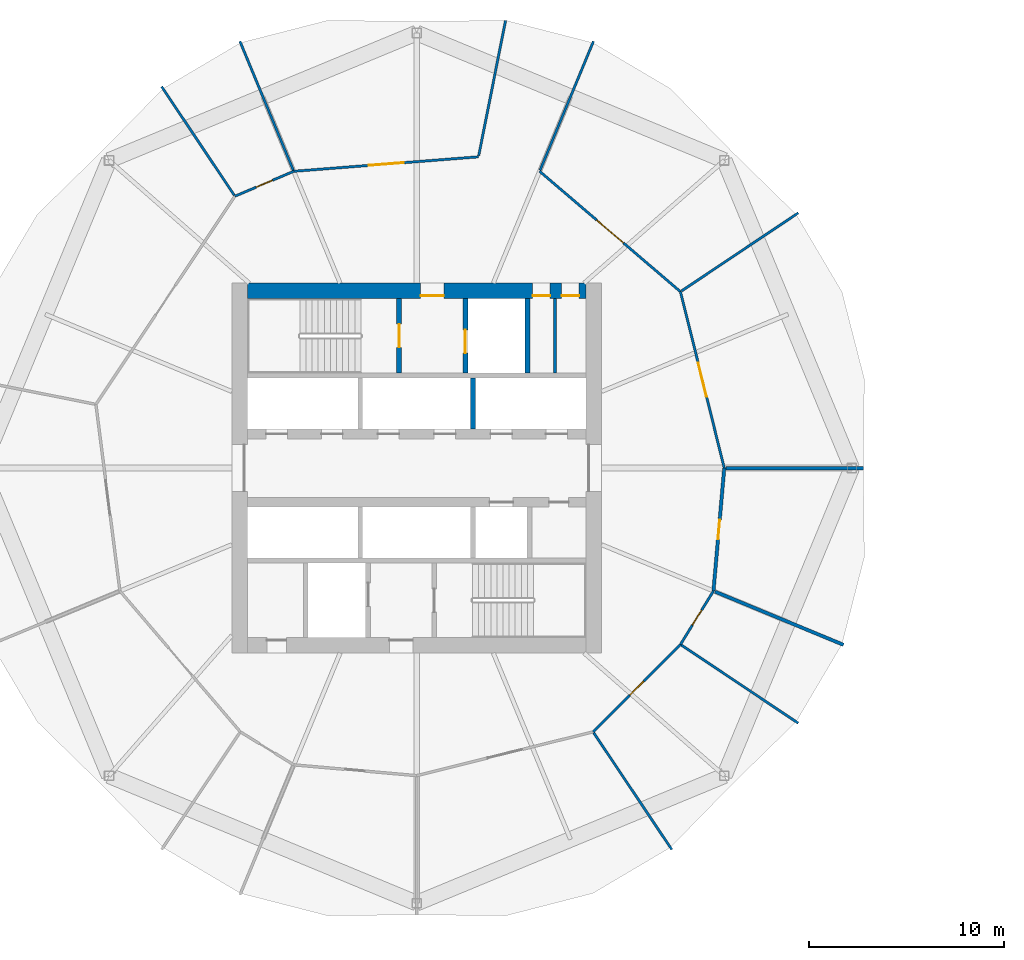
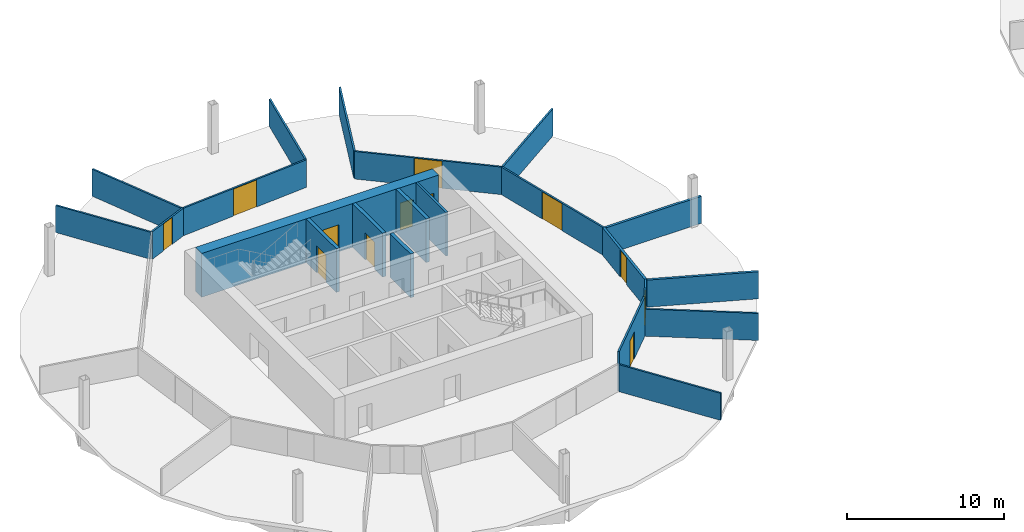
# One storey, part 5 of 10: 22 walls, 12 doors, 12 openings.
"""IFC4 building model written with IfcOpenShell, lengths in metres."""

from ifc_helpers import new_model, si_unit, direction, frame, frame_2d, origin, place, context, subcontext, project, spatial, rectangle, extrude, material, layer, layer_set, type_object, element, fill, save


model = new_model("IFC4")

# Units and contexts
model_context = context("Model", 3, precision=1e-05, world=origin(), true_north=direction((0.0, 1.0)))
body_context = subcontext(model_context, "Body", "Model", "MODEL_VIEW")
ifc_project = project(units=[si_unit("LENGTHUNIT", "METRE"), si_unit("AREAUNIT", "SQUARE_METRE"), si_unit("VOLUMEUNIT", "CUBIC_METRE"), si_unit("PLANEANGLEUNIT", "RADIAN"), si_unit("MASSUNIT", "GRAM", prefix="KILO")], contexts=[model_context])

# Site, building, storey
site_placement = place(None, origin())
site = spatial("IfcSite", under=ifc_project, at=site_placement, CompositionType="ELEMENT")
building_placement = place(site_placement, origin())
building = spatial("IfcBuilding", under=site, at=building_placement, Name="Ogive Gate Towers", CompositionType="ELEMENT")
storey_placement = place(building_placement, frame((0.0, 0.0, 126.89990234375)))
storey = spatial("IfcBuildingStorey", under=building, at=storey_placement, Name="L30", CompositionType="ELEMENT", Elevation=126.89990234375)

# Walls
ifc_material_1 = material(Name="Gypsum board acoustic partition")
ifc_layer_1 = layer(ifc_material_1, 0.175048828125)
ifc_layer_set_1 = layer_set([ifc_layer_1], Name="Acoustic partition 175")
wall_type_1 = type_object("IfcWallType", Name="Acoustic partition 175", PredefinedType="PARTITIONING", material=ifc_layer_set_1)
wall_1_placement = place(storey_placement, frame((-13.051025390625, 0.0, 0.0), z_axis=(0.0, 0.0, 1.0), x_axis=(-1.0, 0.0, 0.0)))
element("IfcWall", 1, at=wall_1_placement, inside=storey, type_object=wall_type_1, Name="Partition T1-L30-001", PredefinedType="PARTITIONING", context=body_context, shape_type="SweptSolid", body=[
    extrude(rectangle(XDim=7.0615234375, YDim=0.175048828125, at=frame_2d((3.53076171875, 0.0))), origin(), (0.0, 0.0, 1.0), 2.10009765625),
])
wall_2_placement = place(storey_placement, frame((-14.07421875, -9.081787109375, 0.0), z_axis=(0.0, 0.0, 1.0), x_axis=(-0.923889795791, 0.382658653676, 0.0)))
element("IfcWall", 2, at=wall_2_placement, inside=storey, type_object=wall_type_1, Name="Partition T1-L30-014", PredefinedType="PARTITIONING", context=body_context, shape_type="SweptSolid", body=[
    extrude(rectangle(XDim=7.143798828125, YDim=0.175048828125, at=frame_2d((3.57177734375, 0.0))), origin(), (0.0, 0.0, 1.0), 2.10009765625),
])

# Wall, opening, door
wall_3_placement = place(storey_placement, frame((-20.7548828125, -6.314697265625, 0.0), z_axis=(0.0, 0.0, 1.0), x_axis=(0.087541989851, 0.996160830395, 0.0)))
wall_3 = element("IfcWall", 3, at=wall_3_placement, inside=storey, type_object=wall_type_1, Name="Partition T1-L30-025", PredefinedType="PARTITIONING", context=body_context, shape_type="SweptSolid", body=[
    extrude(rectangle(XDim=6.339111328125, YDim=0.175048828125, at=frame_2d((3.16943359375, 0.0))), origin(), (0.0, 0.0, 1.0), 2.14013671875),
])
opening_1_placement = place(wall_3_placement, frame((2.6689453125, 0.0, 0.0)))
opening_1 = element("IfcOpeningElement", 4, at=opening_1_placement, cuts=wall_3, Name="Opening T1-L30-D11", PredefinedType="OPENING", context=body_context, shape_type="SweptSolid", body=[
    extrude(rectangle(XDim=1.0, YDim=2.10009765625, at=frame_2d((0.5, 1.050048828125))), frame((0.0, 0.09765625, 0.0), z_axis=(0.0, -1.0, 0.0), x_axis=(1.0, 0.0, 0.0)), (0.0, 0.0, 1.0), 0.195068359375),
])
ifc_material_2 = material(Name="Timber door", Category="wood")
door_type_1 = type_object("IfcDoorType", Name="Door 1000", OperationType="NOTDEFINED", PredefinedType="DOOR", material=ifc_material_2)
door_1_placement = place(opening_1_placement, origin())
door_1 = element("IfcDoor", 5, at=door_1_placement, inside=storey, type_object=door_type_1, Name="Door T1-L30-D11", OperationType="SINGLE_SWING_LEFT", OverallHeight=2.10009765625, OverallWidth=1.0, PredefinedType="DOOR", context=body_context, shape_type="SweptSolid", body=[
    extrude(rectangle(XDim=1.0, YDim=2.10009765625, at=frame_2d((0.5, 1.050048828125))), frame((0.0, 0.02490234375, 0.0), z_axis=(0.0, -1.0, 0.0), x_axis=(1.0, 0.0, 0.0)), (0.0, 0.0, 1.0), 0.050048828125),
])
fill(opening_1, door_1)

# Wall, openings, doors
ifc_material_3 = material(Name="Concrete C60/75", Category="concrete")
ifc_layer_2 = layer(ifc_material_3, 0.800048828125)
ifc_layer_set_2 = layer_set([ifc_layer_2], Name="Core wall 800 mm")
wall_type_2 = type_object("IfcWallType", Name="Core wall 800 mm", PredefinedType="SHEAR", material=ifc_layer_set_2)
wall_4_placement = place(storey_placement, frame((-44.699951171875, 9.10009765625, 0.0), z_axis=(0.0, 0.0, 1.0), x_axis=(1.0, 0.0, 0.0)))
wall_4 = element("IfcWall", 6, at=wall_4_placement, inside=storey, type_object=wall_type_2, Name="T1 L30 Core wall 800 mm", PredefinedType="SHEAR", context=body_context, shape_type="SweptSolid", body=[
    extrude(rectangle(XDim=17.39990234375, YDim=0.800048828125, at=frame_2d((8.699951171875, 0.0))), origin(), (0.0, 0.0, 1.0), 3.400146484375),
])
opening_2_placement = place(wall_4_placement, frame((8.89990234375, 0.0, 0.0)))
opening_2 = element("IfcOpeningElement", 7, at=opening_2_placement, cuts=wall_4, Name="Opening KD-T1-L30-15", PredefinedType="OPENING", context=body_context, shape_type="SweptSolid", body=[
    extrude(rectangle(XDim=1.199951171875, YDim=2.10009765625, at=frame_2d((0.60009765625, 1.050048828125))), frame((0.0, 0.41015625, 0.0), z_axis=(0.0, -1.0, 0.0), x_axis=(1.0, 0.0, 0.0)), (0.0, 0.0, 1.0), 0.820068359375),
])
opening_3_placement = place(wall_4_placement, frame((14.64990234375, 0.0, 0.0)))
opening_3 = element("IfcOpeningElement", 8, at=opening_3_placement, cuts=wall_4, Name="Opening KD-T1-L30-17", PredefinedType="OPENING", context=body_context, shape_type="SweptSolid", body=[
    extrude(rectangle(XDim=0.89990234375, YDim=2.10009765625, at=frame_2d((0.449951171875, 1.050048828125))), frame((0.0, 0.41015625, 0.0), z_axis=(0.0, -1.0, 0.0), x_axis=(1.0, 0.0, 0.0)), (0.0, 0.0, 1.0), 0.820068359375),
])
opening_4_placement = place(wall_4_placement, frame((16.14990234375, 0.0, 0.0)))
opening_4 = element("IfcOpeningElement", 9, at=opening_4_placement, cuts=wall_4, Name="Opening KD-T1-L30-18", PredefinedType="OPENING", context=body_context, shape_type="SweptSolid", body=[
    extrude(rectangle(XDim=0.89990234375, YDim=2.10009765625, at=frame_2d((0.449951171875, 1.050048828125))), frame((0.0, 0.41015625, 0.0), z_axis=(0.0, -1.0, 0.0), x_axis=(1.0, 0.0, 0.0)), (0.0, 0.0, 1.0), 0.820068359375),
])
door_type_2 = type_object("IfcDoorType", Name="Core WC door 900 x 2100", OperationType="NOTDEFINED", PredefinedType="DOOR", material=ifc_material_2)
door_2_placement = place(opening_3_placement, origin())
door_2 = element("IfcDoor", 10, at=door_2_placement, inside=storey, type_object=door_type_2, Name="T1 L30 Core door", OperationType="SINGLE_SWING_RIGHT", OverallHeight=2.10009765625, OverallWidth=0.89990234375, PredefinedType="DOOR", context=body_context, shape_type="SweptSolid", body=[
    extrude(rectangle(XDim=0.89990234375, YDim=2.10009765625, at=frame_2d((0.449951171875, 1.050048828125))), frame((0.0, -0.22509765625, 0.0), z_axis=(0.0, -1.0, 0.0), x_axis=(1.0, 0.0, 0.0)), (0.0, 0.0, 1.0), 0.050048828125),
])
fill(opening_3, door_2)
door_3_placement = place(opening_4_placement, origin())
door_3 = element("IfcDoor", 11, at=door_3_placement, inside=storey, type_object=door_type_2, Name="T1 L30 Core door", OperationType="SINGLE_SWING_LEFT", OverallHeight=2.10009765625, OverallWidth=0.89990234375, PredefinedType="DOOR", context=body_context, shape_type="SweptSolid", body=[
    extrude(rectangle(XDim=0.89990234375, YDim=2.10009765625, at=frame_2d((0.449951171875, 1.050048828125))), frame((0.0, -0.22509765625, 0.0), z_axis=(0.0, -1.0, 0.0), x_axis=(1.0, 0.0, 0.0)), (0.0, 0.0, 1.0), 0.050048828125),
])
fill(opening_4, door_3)
ifc_material_4 = material(Name="Steel fire door", Category="steel")
door_type_3 = type_object("IfcDoorType", Name="Core door FD60S 1200 x 2100", OperationType="NOTDEFINED", PredefinedType="DOOR", material=ifc_material_4)
door_4_placement = place(opening_2_placement, origin())
door_4 = element("IfcDoor", 12, at=door_4_placement, inside=storey, type_object=door_type_3, Name="T1 L30 Fire-fighting lobby door", OperationType="SINGLE_SWING_RIGHT", OverallHeight=2.10009765625, OverallWidth=1.199951171875, PredefinedType="DOOR", context=body_context, shape_type="SweptSolid", body=[
    extrude(rectangle(XDim=1.199951171875, YDim=2.10009765625, at=frame_2d((0.60009765625, 1.050048828125))), frame((0.0, -0.22509765625, 0.0), z_axis=(0.0, -1.0, 0.0), x_axis=(1.0, 0.0, 0.0)), (0.0, 0.0, 1.0), 0.050048828125),
])
fill(opening_2, door_4)

# Walls
ifc_material_5 = material(Name="Gypsum board partition")
ifc_layer_3 = layer(ifc_material_5, 0.125)
ifc_layer_set_3 = layer_set([ifc_layer_3], Name="Partition 125")
wall_type_3 = type_object("IfcWallType", Name="Partition 125", PredefinedType="PARTITIONING", material=ifc_layer_set_3)
wall_5_placement = place(storey_placement, frame((-16.400390625, 13.105224609375, 0.0), z_axis=(0.0, 0.0, 1.0), x_axis=(-0.831294617864, -0.555832041458, 0.0)))
element("IfcWall", 13, at=wall_5_placement, inside=storey, type_object=wall_type_3, Name="Partition T1-L30-002", PredefinedType="PARTITIONING", context=body_context, shape_type="SweptSolid", body=[
    extrude(rectangle(XDim=7.21435546875, YDim=0.125, at=frame_2d((3.607177734375, 0.0))), origin(), (0.0, 0.0, 1.0), 2.10009765625),
])
wall_6_placement = place(storey_placement, frame((-26.918212890625, 21.92578125, 0.0), z_axis=(0.0, 0.0, 1.0), x_axis=(-0.382660597828, -0.923888990556, 0.0)))
element("IfcWall", 14, at=wall_6_placement, inside=storey, type_object=wall_type_3, Name="Partition T1-L30-003", PredefinedType="PARTITIONING", context=body_context, shape_type="SweptSolid", body=[
    extrude(rectangle(XDim=7.168701171875, YDim=0.125, at=frame_2d((3.58447265625, 0.0))), origin(), (0.0, 0.0, 1.0), 2.10009765625),
])
wall_7_placement = place(storey_placement, frame((-31.4326171875, 23.00048828125, 0.0), z_axis=(0.0, 0.0, 1.0), x_axis=(-0.194790884081, -0.980844794796, 0.0)))
element("IfcWall", 15, at=wall_7_placement, inside=storey, type_object=wall_type_3, Name="Partition T1-L30-004", PredefinedType="PARTITIONING", context=body_context, shape_type="SweptSolid", body=[
    extrude(rectangle(XDim=7.08642578125, YDim=0.125, at=frame_2d((3.543212890625, 0.0))), origin(), (0.0, 0.0, 1.0), 2.10009765625),
])
wall_8_placement = place(storey_placement, frame((-45.081787109375, 21.92578125, 0.0), z_axis=(0.0, 0.0, 1.0), x_axis=(0.382660597828, -0.923888990556, 0.0)))
element("IfcWall", 16, at=wall_8_placement, inside=storey, type_object=wall_type_3, Name="Partition T1-L30-005", PredefinedType="PARTITIONING", context=body_context, shape_type="SweptSolid", body=[
    extrude(rectangle(XDim=7.168701171875, YDim=0.125, at=frame_2d((3.58447265625, 0.0))), origin(), (0.0, 0.0, 1.0), 2.10009765625),
])
wall_9_placement = place(storey_placement, frame((-49.105224609375, 19.599609375, 0.0), z_axis=(0.0, 0.0, 1.0), x_axis=(0.555824103664, -0.831299925289, 0.0)))
element("IfcWall", 17, at=wall_9_placement, inside=storey, type_object=wall_type_3, Name="Partition T1-L30-006", PredefinedType="PARTITIONING", context=body_context, shape_type="SweptSolid", body=[
    extrude(rectangle(XDim=6.71435546875, YDim=0.125, at=frame_2d((3.357177734375, 0.0))), origin(), (0.0, 0.0, 1.0), 2.10009765625),
])
for number, where, z_axis, x_axis, name in (
    (18, (-22.894775390625, -19.599609375, 0.0), (0.0, 0.0, 1.0), (-0.555832041458, 0.831294617864, 0.0), "Partition T1-L30-012"),
    (19, (-16.400390625, -13.105224609375, 0.0), (0.0, 0.0, 1.0), (-0.831294617864, 0.555832041458, 0.0), "Partition T1-L30-013"),
):
    element("IfcWall", number, at=place(storey_placement, frame(where, z_axis=z_axis, x_axis=x_axis)), inside=storey, type_object=wall_type_3, Name=name, PredefinedType="PARTITIONING", context=body_context, shape_type="SweptSolid", body=[
        extrude(rectangle(XDim=7.21435546875, YDim=0.125, at=frame_2d((3.607177734375, 0.0))), origin(), (0.0, 0.0, 1.0), 2.10009765625),
    ])

# Wall, opening, door
wall_10_placement = place(storey_placement, frame((-32.8251953125, 15.98828125, 0.0), z_axis=(0.0, 0.0, 1.0), x_axis=(-0.996947466287, -0.078075280748, 0.0)))
wall_10 = element("IfcWall", 20, at=wall_10_placement, inside=storey, type_object=wall_type_3, Name="Partition T1-L30-015", PredefinedType="PARTITIONING", context=body_context, shape_type="SweptSolid", body=[
    extrude(rectangle(XDim=9.5185546875, YDim=0.125, at=frame_2d((4.75927734375, 0.0))), origin(), (0.0, 0.0, 1.0), 2.14013671875),
])
opening_5_placement = place(wall_10_placement, frame((3.85888671875, 0.0, 0.0)))
opening_5 = element("IfcOpeningElement", 21, at=opening_5_placement, cuts=wall_10, Name="Opening T1-L30-D01", PredefinedType="OPENING", context=body_context, shape_type="SweptSolid", body=[
    extrude(rectangle(XDim=1.800048828125, YDim=2.10009765625, at=frame_2d((0.89990234375, 1.050048828125))), frame((0.0, 0.072509765625, 0.0), z_axis=(0.0, -1.0, 0.0), x_axis=(1.0, 0.0, 0.0)), (0.0, 0.0, 1.0), 0.14501953125),
])
door_type_4 = type_object("IfcDoorType", Name="Door pair 1800", OperationType="NOTDEFINED", PredefinedType="DOOR", material=ifc_material_2)
door_5_placement = place(opening_5_placement, origin())
door_5 = element("IfcDoor", 22, at=door_5_placement, inside=storey, type_object=door_type_4, Name="Door T1-L30-D01", OperationType="DOUBLE_DOOR_DOUBLE_SWING", OverallHeight=2.10009765625, OverallWidth=1.800048828125, PredefinedType="DOOR", context=body_context, shape_type="SweptSolid", body=[
    extrude(rectangle(XDim=1.800048828125, YDim=2.10009765625, at=frame_2d((0.89990234375, 1.050048828125))), frame((0.0, 0.02490234375, 0.0), z_axis=(0.0, -1.0, 0.0), x_axis=(1.0, 0.0, 0.0)), (0.0, 0.0, 1.0), 0.050048828125),
])
fill(opening_5, door_5)

wall_11_placement = place(storey_placement, frame((-42.314697265625, 15.2451171875, 0.0), z_axis=(0.0, 0.0, 1.0), x_axis=(-0.920988802871, -0.389589046285, 0.0)))
wall_11 = element("IfcWall", 23, at=wall_11_placement, inside=storey, type_object=wall_type_3, Name="Partition T1-L30-016", PredefinedType="PARTITIONING", context=body_context, shape_type="SweptSolid", body=[
    extrude(rectangle(XDim=3.283203125, YDim=0.125, at=frame_2d((1.6416015625, 0.0))), origin(), (0.0, 0.0, 1.0), 2.14013671875),
])
opening_6_placement = place(wall_11_placement, frame((1.19189453125, 0.0, 0.0)))
opening_6 = element("IfcOpeningElement", 24, at=opening_6_placement, cuts=wall_11, Name="Opening T1-L30-D02", PredefinedType="OPENING", context=body_context, shape_type="SweptSolid", body=[
    extrude(rectangle(XDim=0.89990234375, YDim=2.10009765625, at=frame_2d((0.449951171875, 1.050048828125))), frame((0.0, 0.072509765625, 0.0), z_axis=(0.0, -1.0, 0.0), x_axis=(1.0, 0.0, 0.0)), (0.0, 0.0, 1.0), 0.14501953125),
])
door_type_5 = type_object("IfcDoorType", Name="Door 900", OperationType="NOTDEFINED", PredefinedType="DOOR", material=ifc_material_2)
door_6_placement = place(opening_6_placement, origin())
door_6 = element("IfcDoor", 25, at=door_6_placement, inside=storey, type_object=door_type_5, Name="Door T1-L30-D02", OperationType="SINGLE_SWING_LEFT", OverallHeight=2.10009765625, OverallWidth=0.89990234375, PredefinedType="DOOR", context=body_context, shape_type="SweptSolid", body=[
    extrude(rectangle(XDim=0.89990234375, YDim=2.10009765625, at=frame_2d((0.449951171875, 1.050048828125))), frame((0.0, 0.02490234375, 0.0), z_axis=(0.0, -1.0, 0.0), x_axis=(1.0, 0.0, 0.0)), (0.0, 0.0, 1.0), 0.050048828125),
])
fill(opening_6, door_6)

wall_12_placement = place(storey_placement, frame((-26.939453125, -13.550537109375, 0.0), z_axis=(0.0, 0.0, 1.0), x_axis=(0.707106781187, 0.707106781187, 0.0)))
wall_12 = element("IfcWall", 26, at=wall_12_placement, inside=storey, type_object=wall_type_3, Name="Partition T1-L30-023", PredefinedType="PARTITIONING", context=body_context, shape_type="SweptSolid", body=[
    extrude(rectangle(XDim=6.349853515625, YDim=0.125, at=frame_2d((3.1748046875, 0.0))), origin(), (0.0, 0.0, 1.0), 3.050048828125),
])
opening_7_placement = place(wall_12_placement, frame((2.675048828125, 0.0, 0.0)))
opening_7 = element("IfcOpeningElement", 27, at=opening_7_placement, cuts=wall_12, Name="Opening T1-L30-D09", PredefinedType="OPENING", context=body_context, shape_type="SweptSolid", body=[
    extrude(rectangle(XDim=1.0, YDim=2.10009765625, at=frame_2d((0.5, 1.050048828125))), frame((0.0, 0.072509765625, 0.0), z_axis=(0.0, -1.0, 0.0), x_axis=(1.0, 0.0, 0.0)), (0.0, 0.0, 1.0), 0.14501953125),
])
door_7_placement = place(opening_7_placement, origin())
door_7 = element("IfcDoor", 28, at=door_7_placement, inside=storey, type_object=door_type_1, Name="Door T1-L30-D09", OperationType="SINGLE_SWING_LEFT", OverallHeight=2.10009765625, OverallWidth=1.0, PredefinedType="DOOR", context=body_context, shape_type="SweptSolid", body=[
    extrude(rectangle(XDim=1.0, YDim=2.10009765625, at=frame_2d((0.5, 1.050048828125))), frame((0.0, 0.02490234375, 0.0), z_axis=(0.0, -1.0, 0.0), x_axis=(1.0, 0.0, 0.0)), (0.0, 0.0, 1.0), 0.050048828125),
])
fill(opening_7, door_7)

wall_13_placement = place(storey_placement, frame((-22.449462890625, -9.060546875, 0.0), z_axis=(0.0, 0.0, 1.0), x_axis=(0.525181946831, 0.850989966288, 0.0)))
wall_13 = element("IfcWall", 29, at=wall_13_placement, inside=storey, type_object=wall_type_3, Name="Partition T1-L30-024", PredefinedType="PARTITIONING", context=body_context, shape_type="SweptSolid", body=[
    extrude(rectangle(XDim=3.2265625, YDim=0.125, at=frame_2d((1.61328125, 0.0))), origin(), (0.0, 0.0, 1.0), 2.14013671875),
])
opening_8_placement = place(wall_13_placement, frame((1.1630859375, 0.0, 0.0)))
opening_8 = element("IfcOpeningElement", 30, at=opening_8_placement, cuts=wall_13, Name="Opening T1-L30-D10", PredefinedType="OPENING", context=body_context, shape_type="SweptSolid", body=[
    extrude(rectangle(XDim=0.89990234375, YDim=2.10009765625, at=frame_2d((0.449951171875, 1.050048828125))), frame((0.0, 0.072509765625, 0.0), z_axis=(0.0, -1.0, 0.0), x_axis=(1.0, 0.0, 0.0)), (0.0, 0.0, 1.0), 0.14501953125),
])
door_8_placement = place(opening_8_placement, origin())
door_8 = element("IfcDoor", 31, at=door_8_placement, inside=storey, type_object=door_type_5, Name="Door T1-L30-D10", OperationType="SINGLE_SWING_LEFT", OverallHeight=2.10009765625, OverallWidth=0.89990234375, PredefinedType="DOOR", context=body_context, shape_type="SweptSolid", body=[
    extrude(rectangle(XDim=0.89990234375, YDim=2.10009765625, at=frame_2d((0.449951171875, 1.050048828125))), frame((0.0, 0.02490234375, 0.0), z_axis=(0.0, -1.0, 0.0), x_axis=(1.0, 0.0, 0.0)), (0.0, 0.0, 1.0), 0.050048828125),
])
fill(opening_8, door_8)

wall_14_placement = place(storey_placement, frame((-20.199951171875, 0.0, 0.0), z_axis=(0.0, 0.0, 1.0), x_axis=(-0.240960061106, 0.970535032316, 0.0)))
wall_14 = element("IfcWall", 32, at=wall_14_placement, inside=storey, type_object=wall_type_3, Name="Partition T1-L30-026", PredefinedType="PARTITIONING", context=body_context, shape_type="SweptSolid", body=[
    extrude(rectangle(XDim=9.335693359375, YDim=0.125, at=frame_2d((4.66796875, 0.0))), origin(), (0.0, 0.0, 1.0), 2.14013671875),
])
opening_9_placement = place(wall_14_placement, frame((3.76806640625, 0.0, 0.0)))
opening_9 = element("IfcOpeningElement", 33, at=opening_9_placement, cuts=wall_14, Name="Opening T1-L30-D12", PredefinedType="OPENING", context=body_context, shape_type="SweptSolid", body=[
    extrude(rectangle(XDim=1.800048828125, YDim=2.10009765625, at=frame_2d((0.89990234375, 1.050048828125))), frame((0.0, 0.072509765625, 0.0), z_axis=(0.0, -1.0, 0.0), x_axis=(1.0, 0.0, 0.0)), (0.0, 0.0, 1.0), 0.14501953125),
])
door_9_placement = place(opening_9_placement, origin())
door_9 = element("IfcDoor", 34, at=door_9_placement, inside=storey, type_object=door_type_4, Name="Door T1-L30-D12", OperationType="DOUBLE_DOOR_DOUBLE_SWING", OverallHeight=2.10009765625, OverallWidth=1.800048828125, PredefinedType="DOOR", context=body_context, shape_type="SweptSolid", body=[
    extrude(rectangle(XDim=1.800048828125, YDim=2.10009765625, at=frame_2d((0.89990234375, 1.050048828125))), frame((0.0, 0.02490234375, 0.0), z_axis=(0.0, -1.0, 0.0), x_axis=(1.0, 0.0, 0.0)), (0.0, 0.0, 1.0), 0.050048828125),
])
fill(opening_9, door_9)

wall_15_placement = place(storey_placement, frame((-22.449462890625, 9.060546875, 0.0), z_axis=(0.0, 0.0, 1.0), x_axis=(-0.760168336867, 0.649726172802, 0.0)))
wall_15 = element("IfcWall", 35, at=wall_15_placement, inside=storey, type_object=wall_type_3, Name="Partition T1-L30-027", PredefinedType="PARTITIONING", context=body_context, shape_type="SweptSolid", body=[
    extrude(rectangle(XDim=9.518798828125, YDim=0.125, at=frame_2d((4.75927734375, 0.0))), origin(), (0.0, 0.0, 1.0), 2.14013671875),
])
opening_10_placement = place(wall_15_placement, frame((3.85888671875, 0.0, 0.0)))
opening_10 = element("IfcOpeningElement", 36, at=opening_10_placement, cuts=wall_15, Name="Opening T1-L30-D13", PredefinedType="OPENING", context=body_context, shape_type="SweptSolid", body=[
    extrude(rectangle(XDim=1.800048828125, YDim=2.10009765625, at=frame_2d((0.89990234375, 1.050048828125))), frame((0.0, 0.072509765625, 0.0), z_axis=(0.0, -1.0, 0.0), x_axis=(1.0, 0.0, 0.0)), (0.0, 0.0, 1.0), 0.14501953125),
])
door_10_placement = place(opening_10_placement, origin())
door_10 = element("IfcDoor", 37, at=door_10_placement, inside=storey, type_object=door_type_4, Name="Door T1-L30-D13", OperationType="DOUBLE_DOOR_DOUBLE_SWING", OverallHeight=2.10009765625, OverallWidth=1.800048828125, PredefinedType="DOOR", context=body_context, shape_type="SweptSolid", body=[
    extrude(rectangle(XDim=1.800048828125, YDim=2.10009765625, at=frame_2d((0.89990234375, 1.050048828125))), frame((0.0, 0.02490234375, 0.0), z_axis=(0.0, -1.0, 0.0), x_axis=(1.0, 0.0, 0.0)), (0.0, 0.0, 1.0), 0.050048828125),
])
fill(opening_10, door_10)

# Wall
ifc_layer_4 = layer(ifc_material_5, 0.14990234375)
ifc_layer_set_4 = layer_set([ifc_layer_4], Name="Room partition 150 mm")
wall_type_4 = type_object("IfcWallType", Name="Room partition 150 mm", PredefinedType="PARTITIONING", material=ifc_layer_set_4)
wall_16_placement = place(storey_placement, frame((-28.89990234375, 4.875, 0.0), z_axis=(0.0, 0.0, 1.0), x_axis=(0.0, 1.0, 0.0)))
element("IfcWall", 38, at=wall_16_placement, inside=storey, type_object=wall_type_4, Name="T1 L30 Room partition 150 mm", PredefinedType="PARTITIONING", context=body_context, shape_type="SweptSolid", body=[
    extrude(rectangle(XDim=3.824951171875, YDim=0.14990234375, at=frame_2d((1.91259765625, 0.0))), origin(), (0.0, 0.0, 1.0), 3.400146484375),
])

# Wall, opening, door
ifc_layer_5 = layer(ifc_material_3, 0.25)
ifc_layer_set_5 = layer_set([ifc_layer_5], Name="Shaft wall 250 mm")
wall_type_5 = type_object("IfcWallType", Name="Shaft wall 250 mm", PredefinedType="SHEAR", material=ifc_layer_set_5)
wall_17_placement = place(storey_placement, frame((-36.89990234375, 4.875, 0.0), z_axis=(0.0, 0.0, 1.0), x_axis=(0.0, 1.0, 0.0)))
wall_17 = element("IfcWall", 39, at=wall_17_placement, inside=storey, type_object=wall_type_5, Name="T1 L30 Shaft wall 250 mm", PredefinedType="SHEAR", context=body_context, shape_type="SweptSolid", body=[
    extrude(rectangle(XDim=3.824951171875, YDim=0.25, at=frame_2d((1.91259765625, 0.0))), origin(), (0.0, 0.0, 1.0), 3.400146484375),
])
opening_11_placement = place(wall_17_placement, frame((1.324951171875, 0.0, 0.0)))
opening_11 = element("IfcOpeningElement", 40, at=opening_11_placement, cuts=wall_17, Name="Opening KD-T1-L30-13", PredefinedType="OPENING", context=body_context, shape_type="SweptSolid", body=[
    extrude(rectangle(XDim=1.199951171875, YDim=2.10009765625, at=frame_2d((0.60009765625, 1.050048828125))), frame((0.0, 0.135009765625, 0.0), z_axis=(0.0, -1.0, 0.0), x_axis=(1.0, 0.0, 0.0)), (0.0, 0.0, 1.0), 0.27001953125),
])
door_11_placement = place(opening_11_placement, origin())
door_11 = element("IfcDoor", 41, at=door_11_placement, inside=storey, type_object=door_type_3, Name="T1 L30 Stair door", OperationType="SINGLE_SWING_RIGHT", OverallHeight=2.10009765625, OverallWidth=1.199951171875, PredefinedType="DOOR", context=body_context, shape_type="SweptSolid", body=[
    extrude(rectangle(XDim=1.199951171875, YDim=2.10009765625, at=frame_2d((0.60009765625, 1.050048828125))), frame((0.0, 0.02490234375, 0.0), z_axis=(0.0, -1.0, 0.0), x_axis=(1.0, 0.0, 0.0)), (0.0, 0.0, 1.0), 0.050048828125),
])
fill(opening_11, door_11)

wall_18_placement = place(storey_placement, frame((-33.5, 4.875, 0.0), z_axis=(0.0, 0.0, 1.0), x_axis=(0.0, 1.0, 0.0)))
wall_18 = element("IfcWall", 42, at=wall_18_placement, inside=storey, type_object=wall_type_5, Name="T1 L30 Shaft wall 250 mm", PredefinedType="SHEAR", context=body_context, shape_type="SweptSolid", body=[
    extrude(rectangle(XDim=3.824951171875, YDim=0.25, at=frame_2d((1.91259765625, 0.0))), origin(), (0.0, 0.0, 1.0), 3.400146484375),
])
opening_12_placement = place(wall_18_placement, frame((1.02490234375, 0.0, 0.0)))
opening_12 = element("IfcOpeningElement", 43, at=opening_12_placement, cuts=wall_18, Name="Opening LD-T1-L30-10", PredefinedType="OPENING", context=body_context, shape_type="SweptSolid", body=[
    extrude(rectangle(XDim=1.199951171875, YDim=2.10009765625, at=frame_2d((0.60009765625, 1.050048828125))), frame((0.0, 0.135009765625, 0.0), z_axis=(0.0, -1.0, 0.0), x_axis=(1.0, 0.0, 0.0)), (0.0, 0.0, 1.0), 0.27001953125),
])
ifc_material_6 = material(Name="Stainless steel landing door", Category="steel")
door_type_6 = type_object("IfcDoorType", Name="Landing door 1200 x 2100", OperationType="SLIDING_TO_LEFT", PredefinedType="DOOR", material=ifc_material_6)
door_12_placement = place(opening_12_placement, origin())
door_12 = element("IfcDoor", 44, at=door_12_placement, inside=storey, type_object=door_type_6, Name="T1 L30 Lift landing door FF1", OperationType="SLIDING_TO_LEFT", OverallHeight=2.10009765625, OverallWidth=1.199951171875, PredefinedType="DOOR", context=body_context, shape_type="SweptSolid", body=[
    extrude(rectangle(XDim=1.199951171875, YDim=2.10009765625, at=frame_2d((0.60009765625, 1.050048828125))), frame((0.0, 0.02490234375, 0.0), z_axis=(0.0, -1.0, 0.0), x_axis=(1.0, 0.0, 0.0)), (0.0, 0.0, 1.0), 0.050048828125),
])
fill(opening_12, door_12)

# Walls
wall_19_placement = place(storey_placement, frame((-33.10009765625, 2.0, 0.0), z_axis=(0.0, 0.0, 1.0), x_axis=(0.0, 1.0, 0.0)))
element("IfcWall", 45, at=wall_19_placement, inside=storey, type_object=wall_type_5, Name="T1 L30 Shaft wall 250 mm", PredefinedType="SHEAR", context=body_context, shape_type="SweptSolid", body=[
    extrude(rectangle(XDim=2.625, YDim=0.25, at=frame_2d((1.3125, 0.0))), origin(), (0.0, 0.0, 1.0), 3.400146484375),
])
wall_20_placement = place(storey_placement, frame((-30.300048828125, 4.875, 0.0), z_axis=(0.0, 0.0, 1.0), x_axis=(0.0, 1.0, 0.0)))
element("IfcWall", 46, at=wall_20_placement, inside=storey, type_object=wall_type_5, Name="T1 L30 Shaft wall 250 mm", PredefinedType="SHEAR", context=body_context, shape_type="SweptSolid", body=[
    extrude(rectangle(XDim=3.824951171875, YDim=0.25, at=frame_2d((1.91259765625, 0.0))), origin(), (0.0, 0.0, 1.0), 3.400146484375),
])

save(model, "model.ifc")
